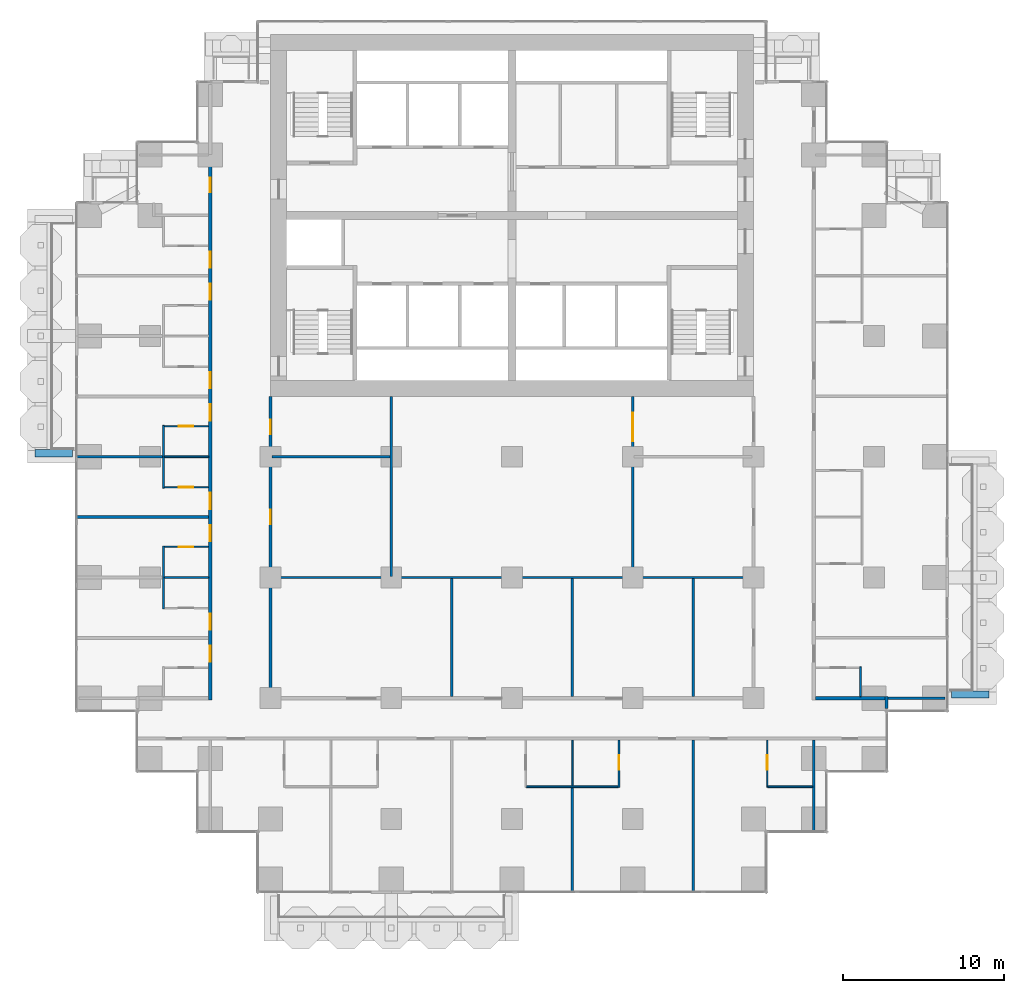
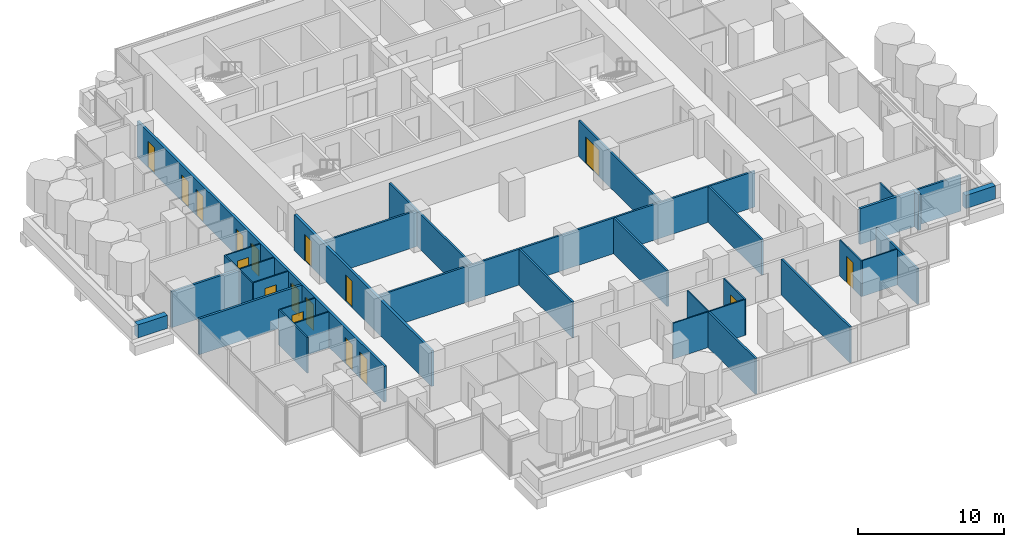
# One storey, part 11 of 18: 32 walls, 17 doors, 17 openings.
"""IFC4 building model written with IfcOpenShell, lengths in metres."""

from ifc_helpers import new_model, si_unit, direction, frame, frame_2d, origin, place, context, subcontext, project, spatial, rectangle, extrude, material, layer, layer_set, type_object, element, fill, save


model = new_model("IFC4")

# Units and contexts
model_context = context("Model", 3, precision=1e-05, world=origin(), true_north=direction((0.0, 1.0)))
body_context = subcontext(model_context, "Body", "Model", "MODEL_VIEW")
ifc_project = project(units=[si_unit("LENGTHUNIT", "METRE"), si_unit("AREAUNIT", "SQUARE_METRE"), si_unit("VOLUMEUNIT", "CUBIC_METRE"), si_unit("PLANEANGLEUNIT", "RADIAN"), si_unit("MASSUNIT", "GRAM", prefix="KILO")], contexts=[model_context])

# Site, building, storey
site_placement = place(None, origin())
site = spatial("IfcSite", under=ifc_project, at=site_placement, CompositionType="ELEMENT")
building_placement = place(site_placement, origin())
building = spatial("IfcBuilding", under=site, at=building_placement, Name="Pilkhan Gate Tower", CompositionType="ELEMENT")
storey_placement = place(building_placement, frame((0.0, 0.0, 75.800048828125)))
storey = spatial("IfcBuildingStorey", under=building, at=storey_placement, Name="L17", CompositionType="ELEMENT", Elevation=75.800048828125)

# Walls
ifc_material_1 = material(Name="Dense blockwork", Category="masonry")
ifc_layer_1 = layer(ifc_material_1, 0.175048828125)
ifc_layer_set_1 = layer_set([ifc_layer_1], Name="Acoustic party wall PW175")
wall_type_1 = type_object("IfcWallType", Name="Acoustic party wall PW175", PredefinedType="PARTITIONING", material=ifc_layer_set_1)
wall_1_placement = place(storey_placement, frame((47.985107421875, 63.75, 0.0), z_axis=(0.0, 0.0, 1.0), x_axis=(1.0, 0.0, 0.0)))
element("IfcWall", 1, at=wall_1_placement, inside=storey, type_object=wall_type_1, Name="Partition L17", PredefinedType="PARTITIONING", context=body_context, shape_type="SweptSolid", body=[
    extrude(rectangle(XDim=8.164794921875, YDim=0.175048828125, at=frame_2d((4.08251953125, 0.0))), origin(), (0.0, 0.0, 1.0), 3.0),
])
wall_2_placement = place(storey_placement, frame((47.985107421875, 67.5, 0.0), z_axis=(0.0, 0.0, 1.0), x_axis=(1.0, 0.0, 0.0)))
element("IfcWall", 2, at=wall_2_placement, inside=storey, type_object=wall_type_1, Name="Partition L17", PredefinedType="PARTITIONING", context=body_context, shape_type="SweptSolid", body=[
    extrude(rectangle(XDim=5.31494140625, YDim=0.175048828125, at=frame_2d((2.657470703125, 0.0))), origin(), (0.0, 0.0, 1.0), 3.0),
])
ifc_material_2 = material(Name="Board-marked Concrete C40/50", Category="concrete")
ifc_layer_2 = layer(ifc_material_2, 0.449951171875)
ifc_layer_set_2 = layer_set([ifc_layer_2], Name="Balcony planter lip BL450")
wall_type_2 = type_object("IfcWallType", Name="Balcony planter lip BL450", PredefinedType="USERDEFINED", material=ifc_layer_set_2)
for number, where, z_axis, x_axis, name in (
    (3, (102.300048828125, 52.72509765625, 0.0), (0.0, 0.0, 1.0), (1.0, 0.0, 0.0), "Balcony planter L17 E"),
    (4, (47.699951171875, 67.72509765625, 0.0), (0.0, 0.0, 1.0), (-1.0, 0.0, 0.0), "Balcony planter L17 W"),
):
    element("IfcWall", number, at=place(storey_placement, frame(where, z_axis=z_axis, x_axis=x_axis)), inside=storey, type_object=wall_type_2, Name=name, ObjectType="BALCONY PLANTER", PredefinedType="USERDEFINED", context=body_context, shape_type="SweptSolid", body=[
        extrude(rectangle(XDim=2.349853515625, YDim=0.449951171875, at=frame_2d((1.1748046875, 0.0))), origin(), (0.0, 0.0, 1.0), 1.099853515625),
    ])
ifc_layer_3 = layer(ifc_material_1, 0.199951171875)
ifc_layer_set_3 = layer_set([ifc_layer_3], Name="Corridor wall FW200")
wall_type_3 = type_object("IfcWallType", Name="Corridor wall FW200", PredefinedType="PARTITIONING", material=ifc_layer_set_3)
wall_3_placement = place(storey_placement, frame((93.85009765625, 52.5, 0.0), z_axis=(0.0, 0.0, 1.0), x_axis=(1.0, 0.0, 0.0)))
element("IfcWall", 5, at=wall_3_placement, inside=storey, type_object=wall_type_3, Name="Partition L17", PredefinedType="PARTITIONING", context=body_context, shape_type="SweptSolid", body=[
    extrude(rectangle(XDim=4.31494140625, YDim=0.199951171875, at=frame_2d((2.157470703125, 0.0))), origin(), (0.0, 0.0, 1.0), 3.0),
])

# Wall, openings, doors
wall_4_placement = place(storey_placement, frame((56.25, 52.39990234375, 0.0), z_axis=(0.0, 0.0, 1.0), x_axis=(0.0, 1.0, 0.0)))
wall_4 = element("IfcWall", 6, at=wall_4_placement, inside=storey, type_object=wall_type_3, Name="Partition L17", PredefinedType="PARTITIONING", context=body_context, shape_type="SweptSolid", body=[
    extrude(rectangle(XDim=33.925048828125, YDim=0.199951171875, at=frame_2d((16.96240234375, 0.0))), origin(), (0.0, 0.0, 1.0), 3.0),
])
opening_1_placement = place(wall_4_placement, frame((2.35009765625, 0.0, 0.0)))
opening_1 = element("IfcOpeningElement", 7, at=opening_1_placement, cuts=wall_4, Name="Opening L17-16", PredefinedType="OPENING", context=body_context, shape_type="SweptSolid", body=[
    extrude(rectangle(XDim=1.0, YDim=2.199951171875, at=frame_2d((0.5, 1.10009765625))), frame((0.0, 0.10986328125, 0.0), z_axis=(0.0, -1.0, 0.0), x_axis=(1.0, 0.0, 0.0)), (0.0, 0.0, 1.0), 0.219970703125),
])
opening_2_placement = place(wall_4_placement, frame((4.35009765625, 0.0, 0.0)))
opening_2 = element("IfcOpeningElement", 8, at=opening_2_placement, cuts=wall_4, Name="Opening L17-18", PredefinedType="OPENING", context=body_context, shape_type="SweptSolid", body=[
    extrude(rectangle(XDim=1.0, YDim=2.199951171875, at=frame_2d((0.5, 1.10009765625))), frame((0.0, 0.10986328125, 0.0), z_axis=(0.0, -1.0, 0.0), x_axis=(1.0, 0.0, 0.0)), (0.0, 0.0, 1.0), 0.219970703125),
])
opening_3_placement = place(wall_4_placement, frame((9.85009765625, 0.0, 0.0)))
opening_3 = element("IfcOpeningElement", 9, at=opening_3_placement, cuts=wall_4, Name="Opening L17-20", PredefinedType="OPENING", context=body_context, shape_type="SweptSolid", body=[
    extrude(rectangle(XDim=1.0, YDim=2.199951171875, at=frame_2d((0.5, 1.10009765625))), frame((0.0, 0.10986328125, 0.0), z_axis=(0.0, -1.0, 0.0), x_axis=(1.0, 0.0, 0.0)), (0.0, 0.0, 1.0), 0.219970703125),
])
opening_4_placement = place(wall_4_placement, frame((11.85009765625, 0.0, 0.0)))
opening_4 = element("IfcOpeningElement", 10, at=opening_4_placement, cuts=wall_4, Name="Opening L17-22", PredefinedType="OPENING", context=body_context, shape_type="SweptSolid", body=[
    extrude(rectangle(XDim=1.0, YDim=2.199951171875, at=frame_2d((0.5, 1.10009765625))), frame((0.0, 0.10986328125, 0.0), z_axis=(0.0, -1.0, 0.0), x_axis=(1.0, 0.0, 0.0)), (0.0, 0.0, 1.0), 0.219970703125),
])
opening_5_placement = place(wall_4_placement, frame((17.35009765625, 0.0, 0.0)))
opening_5 = element("IfcOpeningElement", 11, at=opening_5_placement, cuts=wall_4, Name="Opening L17-24", PredefinedType="OPENING", context=body_context, shape_type="SweptSolid", body=[
    extrude(rectangle(XDim=1.0, YDim=2.199951171875, at=frame_2d((0.5, 1.10009765625))), frame((0.0, 0.10986328125, 0.0), z_axis=(0.0, -1.0, 0.0), x_axis=(1.0, 0.0, 0.0)), (0.0, 0.0, 1.0), 0.219970703125),
])
opening_6_placement = place(wall_4_placement, frame((19.35009765625, 0.0, 0.0)))
opening_6 = element("IfcOpeningElement", 12, at=opening_6_placement, cuts=wall_4, Name="Opening L17-26", PredefinedType="OPENING", context=body_context, shape_type="SweptSolid", body=[
    extrude(rectangle(XDim=1.0, YDim=2.199951171875, at=frame_2d((0.5, 1.10009765625))), frame((0.0, 0.10986328125, 0.0), z_axis=(0.0, -1.0, 0.0), x_axis=(1.0, 0.0, 0.0)), (0.0, 0.0, 1.0), 0.219970703125),
])
opening_7_placement = place(wall_4_placement, frame((24.85009765625, 0.0, 0.0)))
opening_7 = element("IfcOpeningElement", 13, at=opening_7_placement, cuts=wall_4, Name="Opening L17-28", PredefinedType="OPENING", context=body_context, shape_type="SweptSolid", body=[
    extrude(rectangle(XDim=1.0, YDim=2.199951171875, at=frame_2d((0.5, 1.10009765625))), frame((0.0, 0.10986328125, 0.0), z_axis=(0.0, -1.0, 0.0), x_axis=(1.0, 0.0, 0.0)), (0.0, 0.0, 1.0), 0.219970703125),
])
opening_8_placement = place(wall_4_placement, frame((26.85009765625, 0.0, 0.0)))
opening_8 = element("IfcOpeningElement", 14, at=opening_8_placement, cuts=wall_4, Name="Opening L17-30", PredefinedType="OPENING", context=body_context, shape_type="SweptSolid", body=[
    extrude(rectangle(XDim=1.0, YDim=2.199951171875, at=frame_2d((0.5, 1.10009765625))), frame((0.0, 0.10986328125, 0.0), z_axis=(0.0, -1.0, 0.0), x_axis=(1.0, 0.0, 0.0)), (0.0, 0.0, 1.0), 0.219970703125),
])
opening_9_placement = place(wall_4_placement, frame((31.550048828125, 0.0, 0.0)))
opening_9 = element("IfcOpeningElement", 15, at=opening_9_placement, cuts=wall_4, Name="Opening L17-50", PredefinedType="OPENING", context=body_context, shape_type="SweptSolid", body=[
    extrude(rectangle(XDim=0.89990234375, YDim=2.199951171875, at=frame_2d((0.449951171875, 1.10009765625))), frame((0.0, 0.10986328125, 0.0), z_axis=(0.0, -1.0, 0.0), x_axis=(1.0, 0.0, 0.0)), (0.0, 0.0, 1.0), 0.219970703125),
])
ifc_material_3 = material(Name="Timber flush door, 30 minute fire resisting", Category="wood")
door_type_1 = type_object("IfcDoorType", Name="Guest room door D01 1000x2200", OperationType="SINGLE_SWING_LEFT", PredefinedType="DOOR", material=ifc_material_3)
door_1_placement = place(opening_1_placement, origin())
door_1 = element("IfcDoor", 16, at=door_1_placement, inside=storey, type_object=door_type_1, Name="Guest room door", OperationType="SINGLE_SWING_RIGHT", OverallHeight=2.199951171875, OverallWidth=1.0, PredefinedType="DOOR", context=body_context, shape_type="SweptSolid", body=[
    extrude(rectangle(XDim=1.0, YDim=2.199951171875, at=frame_2d((0.5, 1.10009765625))), frame((0.0, 0.02490234375, 0.0), z_axis=(0.0, -1.0, 0.0), x_axis=(1.0, 0.0, 0.0)), (0.0, 0.0, 1.0), 0.050048828125),
])
fill(opening_1, door_1)
door_2_placement = place(opening_2_placement, origin())
door_2 = element("IfcDoor", 17, at=door_2_placement, inside=storey, type_object=door_type_1, Name="Guest room door", OperationType="SINGLE_SWING_RIGHT", OverallHeight=2.199951171875, OverallWidth=1.0, PredefinedType="DOOR", context=body_context, shape_type="SweptSolid", body=[
    extrude(rectangle(XDim=1.0, YDim=2.199951171875, at=frame_2d((0.5, 1.10009765625))), frame((0.0, 0.02490234375, 0.0), z_axis=(0.0, -1.0, 0.0), x_axis=(1.0, 0.0, 0.0)), (0.0, 0.0, 1.0), 0.050048828125),
])
fill(opening_2, door_2)
door_3_placement = place(opening_3_placement, origin())
door_3 = element("IfcDoor", 18, at=door_3_placement, inside=storey, type_object=door_type_1, Name="Guest room door", OperationType="SINGLE_SWING_RIGHT", OverallHeight=2.199951171875, OverallWidth=1.0, PredefinedType="DOOR", context=body_context, shape_type="SweptSolid", body=[
    extrude(rectangle(XDim=1.0, YDim=2.199951171875, at=frame_2d((0.5, 1.10009765625))), frame((0.0, 0.02490234375, 0.0), z_axis=(0.0, -1.0, 0.0), x_axis=(1.0, 0.0, 0.0)), (0.0, 0.0, 1.0), 0.050048828125),
])
fill(opening_3, door_3)
door_4_placement = place(opening_4_placement, origin())
door_4 = element("IfcDoor", 19, at=door_4_placement, inside=storey, type_object=door_type_1, Name="Guest room door", OperationType="SINGLE_SWING_RIGHT", OverallHeight=2.199951171875, OverallWidth=1.0, PredefinedType="DOOR", context=body_context, shape_type="SweptSolid", body=[
    extrude(rectangle(XDim=1.0, YDim=2.199951171875, at=frame_2d((0.5, 1.10009765625))), frame((0.0, 0.02490234375, 0.0), z_axis=(0.0, -1.0, 0.0), x_axis=(1.0, 0.0, 0.0)), (0.0, 0.0, 1.0), 0.050048828125),
])
fill(opening_4, door_4)
door_5_placement = place(opening_5_placement, origin())
door_5 = element("IfcDoor", 20, at=door_5_placement, inside=storey, type_object=door_type_1, Name="Guest room door", OperationType="SINGLE_SWING_LEFT", OverallHeight=2.199951171875, OverallWidth=1.0, PredefinedType="DOOR", context=body_context, shape_type="SweptSolid", body=[
    extrude(rectangle(XDim=1.0, YDim=2.199951171875, at=frame_2d((0.5, 1.10009765625))), frame((0.0, 0.02490234375, 0.0), z_axis=(0.0, -1.0, 0.0), x_axis=(1.0, 0.0, 0.0)), (0.0, 0.0, 1.0), 0.050048828125),
])
fill(opening_5, door_5)
door_6_placement = place(opening_6_placement, origin())
door_6 = element("IfcDoor", 21, at=door_6_placement, inside=storey, type_object=door_type_1, Name="Guest room door", OperationType="SINGLE_SWING_LEFT", OverallHeight=2.199951171875, OverallWidth=1.0, PredefinedType="DOOR", context=body_context, shape_type="SweptSolid", body=[
    extrude(rectangle(XDim=1.0, YDim=2.199951171875, at=frame_2d((0.5, 1.10009765625))), frame((0.0, 0.02490234375, 0.0), z_axis=(0.0, -1.0, 0.0), x_axis=(1.0, 0.0, 0.0)), (0.0, 0.0, 1.0), 0.050048828125),
])
fill(opening_6, door_6)
door_7_placement = place(opening_7_placement, origin())
door_7 = element("IfcDoor", 22, at=door_7_placement, inside=storey, type_object=door_type_1, Name="Guest room door", OperationType="SINGLE_SWING_LEFT", OverallHeight=2.199951171875, OverallWidth=1.0, PredefinedType="DOOR", context=body_context, shape_type="SweptSolid", body=[
    extrude(rectangle(XDim=1.0, YDim=2.199951171875, at=frame_2d((0.5, 1.10009765625))), frame((0.0, 0.02490234375, 0.0), z_axis=(0.0, -1.0, 0.0), x_axis=(1.0, 0.0, 0.0)), (0.0, 0.0, 1.0), 0.050048828125),
])
fill(opening_7, door_7)
door_8_placement = place(opening_8_placement, origin())
door_8 = element("IfcDoor", 23, at=door_8_placement, inside=storey, type_object=door_type_1, Name="Guest room door", OperationType="SINGLE_SWING_LEFT", OverallHeight=2.199951171875, OverallWidth=1.0, PredefinedType="DOOR", context=body_context, shape_type="SweptSolid", body=[
    extrude(rectangle(XDim=1.0, YDim=2.199951171875, at=frame_2d((0.5, 1.10009765625))), frame((0.0, 0.02490234375, 0.0), z_axis=(0.0, -1.0, 0.0), x_axis=(1.0, 0.0, 0.0)), (0.0, 0.0, 1.0), 0.050048828125),
])
fill(opening_8, door_8)
ifc_material_4 = material(Name="Timber flush door, 60 minute fire resisting, self-closing", Category="wood")
door_type_2 = type_object("IfcDoorType", Name="Store door D05 900x2200", OperationType="SINGLE_SWING_LEFT", PredefinedType="DOOR", material=ifc_material_4)
door_9_placement = place(opening_9_placement, origin())
door_9 = element("IfcDoor", 24, at=door_9_placement, inside=storey, type_object=door_type_2, Name="Store door", OperationType="SINGLE_SWING_LEFT", OverallHeight=2.199951171875, OverallWidth=0.89990234375, PredefinedType="DOOR", context=body_context, shape_type="SweptSolid", body=[
    extrude(rectangle(XDim=0.89990234375, YDim=2.199951171875, at=frame_2d((0.449951171875, 1.10009765625))), frame((0.0, 0.02490234375, 0.0), z_axis=(0.0, -1.0, 0.0), x_axis=(1.0, 0.0, 0.0)), (0.0, 0.0, 1.0), 0.050048828125),
])
fill(opening_9, door_9)

wall_5_placement = place(storey_placement, frame((60.0, 52.39990234375, 0.0), z_axis=(0.0, 0.0, 1.0), x_axis=(0.0, 1.0, 0.0)))
wall_5 = element("IfcWall", 25, at=wall_5_placement, inside=storey, type_object=wall_type_3, Name="Partition L17", PredefinedType="PARTITIONING", context=body_context, shape_type="SweptSolid", body=[
    extrude(rectangle(XDim=18.840087890625, YDim=0.199951171875, at=frame_2d((9.419921875, 0.0))), origin(), (0.0, 0.0, 1.0), 3.0),
])
opening_10_placement = place(wall_5_placement, frame((10.89990234375, 0.0, 0.0)))
opening_10 = element("IfcOpeningElement", 26, at=opening_10_placement, cuts=wall_5, Name="Opening L17-56", PredefinedType="OPENING", context=body_context, shape_type="SweptSolid", body=[
    extrude(rectangle(XDim=0.89990234375, YDim=2.199951171875, at=frame_2d((0.449951171875, 1.10009765625))), frame((0.0, 0.10986328125, 0.0), z_axis=(0.0, -1.0, 0.0), x_axis=(1.0, 0.0, 0.0)), (0.0, 0.0, 1.0), 0.219970703125),
])
opening_11_placement = place(wall_5_placement, frame((16.5, 0.0, 0.0)))
opening_11 = element("IfcOpeningElement", 27, at=opening_11_placement, cuts=wall_5, Name="Opening L17-57", PredefinedType="OPENING", context=body_context, shape_type="SweptSolid", body=[
    extrude(rectangle(XDim=0.89990234375, YDim=2.199951171875, at=frame_2d((0.449951171875, 1.10009765625))), frame((0.0, 0.10986328125, 0.0), z_axis=(0.0, -1.0, 0.0), x_axis=(1.0, 0.0, 0.0)), (0.0, 0.0, 1.0), 0.219970703125),
])
door_10_placement = place(opening_10_placement, origin())
door_10 = element("IfcDoor", 28, at=door_10_placement, inside=storey, type_object=door_type_2, Name="Store door", OperationType="SINGLE_SWING_LEFT", OverallHeight=2.199951171875, OverallWidth=0.89990234375, PredefinedType="DOOR", context=body_context, shape_type="SweptSolid", body=[
    extrude(rectangle(XDim=0.89990234375, YDim=2.199951171875, at=frame_2d((0.449951171875, 1.10009765625))), frame((0.0, 0.02490234375, 0.0), z_axis=(0.0, -1.0, 0.0), x_axis=(1.0, 0.0, 0.0)), (0.0, 0.0, 1.0), 0.050048828125),
])
fill(opening_10, door_10)
door_11_placement = place(opening_11_placement, origin())
door_11 = element("IfcDoor", 29, at=door_11_placement, inside=storey, type_object=door_type_2, Name="Store door", OperationType="SINGLE_SWING_RIGHT", OverallHeight=2.199951171875, OverallWidth=0.89990234375, PredefinedType="DOOR", context=body_context, shape_type="SweptSolid", body=[
    extrude(rectangle(XDim=0.89990234375, YDim=2.199951171875, at=frame_2d((0.449951171875, 1.10009765625))), frame((0.0, 0.02490234375, 0.0), z_axis=(0.0, -1.0, 0.0), x_axis=(1.0, 0.0, 0.0)), (0.0, 0.0, 1.0), 0.050048828125),
])
fill(opening_11, door_11)

# Walls
wall_6_placement = place(storey_placement, frame((98.264892578125, 51.85498046875, 0.0), z_axis=(0.0, 0.0, 1.0), x_axis=(0.0, 1.0, 0.0)))
element("IfcWall", 30, at=wall_6_placement, inside=storey, type_object=wall_type_3, Name="Partition L17", PredefinedType="PARTITIONING", context=body_context, shape_type="SweptSolid", body=[
    extrude(rectangle(XDim=0.7451171875, YDim=0.199951171875, at=frame_2d((0.37255859375, 0.0))), origin(), (0.0, 0.0, 1.0), 3.0),
])
ifc_material_5 = material(Name="Blockwork partition, plastered both sides", Category="masonry")
ifc_layer_4 = layer(ifc_material_5, 0.14990234375)
ifc_layer_set_4 = layer_set([ifc_layer_4], Name="Partition PW150")
wall_type_4 = type_object("IfcWallType", Name="Partition PW150", PredefinedType="PARTITIONING", material=ifc_layer_set_4)
wall_7_placement = place(storey_placement, frame((98.364990234375, 52.5, 0.0), z_axis=(0.0, 0.0, 1.0), x_axis=(1.0, 0.0, 0.0)))
element("IfcWall", 31, at=wall_7_placement, inside=storey, type_object=wall_type_4, Name="Partition L17", PredefinedType="PARTITIONING", context=body_context, shape_type="SweptSolid", body=[
    extrude(rectangle(XDim=3.530029296875, YDim=0.14990234375, at=frame_2d((1.76513671875, 0.0))), origin(), (0.0, 0.0, 1.0), 3.0),
])
wall_8_placement = place(storey_placement, frame((60.10009765625, 60.0, 0.0), z_axis=(0.0, 0.0, 1.0), x_axis=(1.0, 0.0, 0.0)))
element("IfcWall", 32, at=wall_8_placement, inside=storey, type_object=wall_type_4, Name="Partition L17", PredefinedType="PARTITIONING", context=body_context, shape_type="SweptSolid", body=[
    extrude(rectangle(XDim=29.7998046875, YDim=0.14990234375, at=frame_2d((14.89990234375, 0.0))), origin(), (0.0, 0.0, 1.0), 3.0),
])
wall_9_placement = place(storey_placement, frame((60.10009765625, 67.5, 0.0), z_axis=(0.0, 0.0, 1.0), x_axis=(1.0, 0.0, 0.0)))
element("IfcWall", 33, at=wall_9_placement, inside=storey, type_object=wall_type_4, Name="Partition L17", PredefinedType="PARTITIONING", context=body_context, shape_type="SweptSolid", body=[
    extrude(rectangle(XDim=7.324951171875, YDim=0.14990234375, at=frame_2d((3.66259765625, 0.0))), origin(), (0.0, 0.0, 1.0), 3.0),
])
wall_10_placement = place(storey_placement, frame((67.5, 60.074951171875, 0.0), z_axis=(0.0, 0.0, 1.0), x_axis=(0.0, 1.0, 0.0)))
element("IfcWall", 34, at=wall_10_placement, inside=storey, type_object=wall_type_4, Name="Partition L17", PredefinedType="PARTITIONING", context=body_context, shape_type="SweptSolid", body=[
    extrude(rectangle(XDim=11.1650390625, YDim=0.14990234375, at=frame_2d((5.58251953125, 0.0))), origin(), (0.0, 0.0, 1.0), 3.0),
])
wall_11_placement = place(storey_placement, frame((71.25, 52.60009765625, 0.0), z_axis=(0.0, 0.0, 1.0), x_axis=(0.0, 1.0, 0.0)))
element("IfcWall", 35, at=wall_11_placement, inside=storey, type_object=wall_type_4, Name="Partition L17", PredefinedType="PARTITIONING", context=body_context, shape_type="SweptSolid", body=[
    extrude(rectangle(XDim=7.324951171875, YDim=0.14990234375, at=frame_2d((3.66259765625, 0.0))), origin(), (0.0, 0.0, 1.0), 3.0),
])
wall_12_placement = place(storey_placement, frame((78.75, 40.485107421875, 0.0), z_axis=(0.0, 0.0, 1.0), x_axis=(0.0, 1.0, 0.0)))
element("IfcWall", 36, at=wall_12_placement, inside=storey, type_object=wall_type_4, Name="Partition L17", PredefinedType="PARTITIONING", context=body_context, shape_type="SweptSolid", body=[
    extrude(rectangle(XDim=6.46484375, YDim=0.14990234375, at=frame_2d((3.232421875, 0.0))), origin(), (0.0, 0.0, 1.0), 3.0),
])
wall_13_placement = place(storey_placement, frame((78.75, 52.60009765625, 0.0), z_axis=(0.0, 0.0, 1.0), x_axis=(0.0, 1.0, 0.0)))
element("IfcWall", 37, at=wall_13_placement, inside=storey, type_object=wall_type_4, Name="Partition L17", PredefinedType="PARTITIONING", context=body_context, shape_type="SweptSolid", body=[
    extrude(rectangle(XDim=7.324951171875, YDim=0.14990234375, at=frame_2d((3.66259765625, 0.0))), origin(), (0.0, 0.0, 1.0), 3.0),
])

# Wall, opening, door
wall_14_placement = place(storey_placement, frame((82.5, 60.074951171875, 0.0), z_axis=(0.0, 0.0, 1.0), x_axis=(0.0, 1.0, 0.0)))
wall_14 = element("IfcWall", 38, at=wall_14_placement, inside=storey, type_object=wall_type_4, Name="Partition L17", PredefinedType="PARTITIONING", context=body_context, shape_type="SweptSolid", body=[
    extrude(rectangle(XDim=11.1650390625, YDim=0.14990234375, at=frame_2d((5.58251953125, 0.0))), origin(), (0.0, 0.0, 1.0), 3.0),
])
opening_12_placement = place(wall_14_placement, frame((8.375, 0.0, 0.0)))
opening_12 = element("IfcOpeningElement", 39, at=opening_12_placement, cuts=wall_14, Name="Opening L17-58", PredefinedType="OPENING", context=body_context, shape_type="SweptSolid", body=[
    extrude(rectangle(XDim=1.800048828125, YDim=2.199951171875, at=frame_2d((0.89990234375, 1.10009765625))), frame((0.0, 0.0849609375, 0.0), z_axis=(0.0, -1.0, 0.0), x_axis=(1.0, 0.0, 0.0)), (0.0, 0.0, 1.0), 0.169921875),
])
ifc_material_6 = material(Name="Timber glazed double door, 30 minute fire resisting", Category="wood")
door_type_3 = type_object("IfcDoorType", Name="Double door D04 1800x2200", OperationType="DOUBLE_DOOR_SINGLE_SWING", PredefinedType="DOOR", material=ifc_material_6)
door_12_placement = place(opening_12_placement, origin())
door_12 = element("IfcDoor", 40, at=door_12_placement, inside=storey, type_object=door_type_3, Name="Double door", OperationType="DOUBLE_DOOR_SINGLE_SWING", OverallHeight=2.199951171875, OverallWidth=1.800048828125, PredefinedType="DOOR", context=body_context, shape_type="SweptSolid", body=[
    extrude(rectangle(XDim=1.800048828125, YDim=2.199951171875, at=frame_2d((0.89990234375, 1.10009765625))), frame((0.0, 0.02490234375, 0.0), z_axis=(0.0, -1.0, 0.0), x_axis=(1.0, 0.0, 0.0)), (0.0, 0.0, 1.0), 0.050048828125),
])
fill(opening_12, door_12)

# Walls
wall_15_placement = place(storey_placement, frame((86.25, 40.485107421875, 0.0), z_axis=(0.0, 0.0, 1.0), x_axis=(0.0, 1.0, 0.0)))
element("IfcWall", 41, at=wall_15_placement, inside=storey, type_object=wall_type_4, Name="Partition L17", PredefinedType="PARTITIONING", context=body_context, shape_type="SweptSolid", body=[
    extrude(rectangle(XDim=9.414794921875, YDim=0.14990234375, at=frame_2d((4.70751953125, 0.0))), origin(), (0.0, 0.0, 1.0), 3.0),
])
wall_16_placement = place(storey_placement, frame((86.25, 52.60009765625, 0.0), z_axis=(0.0, 0.0, 1.0), x_axis=(0.0, 1.0, 0.0)))
element("IfcWall", 42, at=wall_16_placement, inside=storey, type_object=wall_type_4, Name="Partition L17", PredefinedType="PARTITIONING", context=body_context, shape_type="SweptSolid", body=[
    extrude(rectangle(XDim=7.324951171875, YDim=0.14990234375, at=frame_2d((3.66259765625, 0.0))), origin(), (0.0, 0.0, 1.0), 3.0),
])
wall_17_placement = place(storey_placement, frame((93.75, 44.235107421875, 0.0), z_axis=(0.0, 0.0, 1.0), x_axis=(0.0, 1.0, 0.0)))
element("IfcWall", 43, at=wall_17_placement, inside=storey, type_object=wall_type_4, Name="Partition L17", PredefinedType="PARTITIONING", context=body_context, shape_type="SweptSolid", body=[
    extrude(rectangle(XDim=5.664794921875, YDim=0.14990234375, at=frame_2d((2.83251953125, 0.0))), origin(), (0.0, 0.0, 1.0), 3.0),
])
ifc_material_7 = material(Name="Moisture resistant board, tiled")
ifc_layer_5 = layer(ifc_material_7, 0.10009765625)
ifc_layer_set_5 = layer_set([ifc_layer_5], Name="Wet wall PW100")
wall_type_5 = type_object("IfcWallType", Name="Wet wall PW100", PredefinedType="PARTITIONING", material=ifc_layer_set_5)
wall_18_placement = place(storey_placement, frame((75.89990234375, 47.0, 0.0), z_axis=(0.0, 0.0, 1.0), x_axis=(1.0, 0.0, 0.0)))
element("IfcWall", 44, at=wall_18_placement, inside=storey, type_object=wall_type_5, Name="Partition L17", PredefinedType="PARTITIONING", context=body_context, shape_type="SweptSolid", body=[
    extrude(rectangle(XDim=5.7001953125, YDim=0.10009765625, at=frame_2d((2.85009765625, 0.0))), origin(), (0.0, 0.0, 1.0), 3.0),
])
wall_19_placement = place(storey_placement, frame((90.89990234375, 47.0, 0.0), z_axis=(0.0, 0.0, 1.0), x_axis=(1.0, 0.0, 0.0)))
element("IfcWall", 45, at=wall_19_placement, inside=storey, type_object=wall_type_5, Name="Partition L17", PredefinedType="PARTITIONING", context=body_context, shape_type="SweptSolid", body=[
    extrude(rectangle(XDim=2.775146484375, YDim=0.10009765625, at=frame_2d((1.3876953125, 0.0))), origin(), (0.0, 0.0, 1.0), 3.0),
])
wall_20_placement = place(storey_placement, frame((53.39990234375, 60.0, 0.0), z_axis=(0.0, 0.0, 1.0), x_axis=(1.0, 0.0, 0.0)))
element("IfcWall", 46, at=wall_20_placement, inside=storey, type_object=wall_type_5, Name="Partition L17", PredefinedType="PARTITIONING", context=body_context, shape_type="SweptSolid", body=[
    extrude(rectangle(XDim=2.75, YDim=0.10009765625, at=frame_2d((1.375, 0.0))), origin(), (0.0, 0.0, 1.0), 3.0),
])

# Wall, opening, door
wall_21_placement = place(storey_placement, frame((53.39990234375, 61.89990234375, 0.0), z_axis=(0.0, 0.0, 1.0), x_axis=(1.0, 0.0, 0.0)))
wall_21 = element("IfcWall", 47, at=wall_21_placement, inside=storey, type_object=wall_type_5, Name="Partition L17", PredefinedType="PARTITIONING", context=body_context, shape_type="SweptSolid", body=[
    extrude(rectangle(XDim=2.75, YDim=0.10009765625, at=frame_2d((1.375, 0.0))), origin(), (0.0, 0.0, 1.0), 3.0),
])
opening_13_placement = place(wall_21_placement, frame((0.89990234375, 0.0, 0.0)))
opening_13 = element("IfcOpeningElement", 48, at=opening_13_placement, cuts=wall_21, Name="Opening L17-21", PredefinedType="OPENING", context=body_context, shape_type="SweptSolid", body=[
    extrude(rectangle(XDim=0.89990234375, YDim=2.199951171875, at=frame_2d((0.449951171875, 1.10009765625))), frame((0.0, 0.06005859375, 0.0), z_axis=(0.0, -1.0, 0.0), x_axis=(1.0, 0.0, 0.0)), (0.0, 0.0, 1.0), 0.1201171875),
])
ifc_material_8 = material(Name="Timber flush door", Category="wood")
door_type_4 = type_object("IfcDoorType", Name="Bathroom door D02 900x2200", OperationType="SINGLE_SWING_RIGHT", PredefinedType="DOOR", material=ifc_material_8)
door_13_placement = place(opening_13_placement, origin())
door_13 = element("IfcDoor", 49, at=door_13_placement, inside=storey, type_object=door_type_4, Name="Bathroom door", OperationType="SINGLE_SWING_RIGHT", OverallHeight=2.199951171875, OverallWidth=0.89990234375, PredefinedType="DOOR", context=body_context, shape_type="SweptSolid", body=[
    extrude(rectangle(XDim=0.89990234375, YDim=2.199951171875, at=frame_2d((0.449951171875, 1.10009765625))), frame((0.0, 0.02490234375, 0.0), z_axis=(0.0, -1.0, 0.0), x_axis=(1.0, 0.0, 0.0)), (0.0, 0.0, 1.0), 0.050048828125),
])
fill(opening_13, door_13)

wall_22_placement = place(storey_placement, frame((53.39990234375, 65.60009765625, 0.0), z_axis=(0.0, 0.0, 1.0), x_axis=(1.0, 0.0, 0.0)))
wall_22 = element("IfcWall", 50, at=wall_22_placement, inside=storey, type_object=wall_type_5, Name="Partition L17", PredefinedType="PARTITIONING", context=body_context, shape_type="SweptSolid", body=[
    extrude(rectangle(XDim=2.75, YDim=0.10009765625, at=frame_2d((1.375, 0.0))), origin(), (0.0, 0.0, 1.0), 3.0),
])
opening_14_placement = place(wall_22_placement, frame((0.89990234375, 0.0, 0.0)))
opening_14 = element("IfcOpeningElement", 51, at=opening_14_placement, cuts=wall_22, Name="Opening L17-23", PredefinedType="OPENING", context=body_context, shape_type="SweptSolid", body=[
    extrude(rectangle(XDim=0.89990234375, YDim=2.199951171875, at=frame_2d((0.449951171875, 1.10009765625))), frame((0.0, 0.06005859375, 0.0), z_axis=(0.0, -1.0, 0.0), x_axis=(1.0, 0.0, 0.0)), (0.0, 0.0, 1.0), 0.1201171875),
])
door_14_placement = place(opening_14_placement, origin())
door_14 = element("IfcDoor", 52, at=door_14_placement, inside=storey, type_object=door_type_4, Name="Bathroom door", OperationType="SINGLE_SWING_RIGHT", OverallHeight=2.199951171875, OverallWidth=0.89990234375, PredefinedType="DOOR", context=body_context, shape_type="SweptSolid", body=[
    extrude(rectangle(XDim=0.89990234375, YDim=2.199951171875, at=frame_2d((0.449951171875, 1.10009765625))), frame((0.0, 0.02490234375, 0.0), z_axis=(0.0, -1.0, 0.0), x_axis=(1.0, 0.0, 0.0)), (0.0, 0.0, 1.0), 0.050048828125),
])
fill(opening_14, door_14)

# Wall
wall_23_placement = place(storey_placement, frame((53.39990234375, 67.5, 0.0), z_axis=(0.0, 0.0, 1.0), x_axis=(1.0, 0.0, 0.0)))
element("IfcWall", 53, at=wall_23_placement, inside=storey, type_object=wall_type_5, Name="Partition L17", PredefinedType="PARTITIONING", context=body_context, shape_type="SweptSolid", body=[
    extrude(rectangle(XDim=2.75, YDim=0.10009765625, at=frame_2d((1.375, 0.0))), origin(), (0.0, 0.0, 1.0), 3.0),
])

# Wall, opening, door
wall_24_placement = place(storey_placement, frame((53.39990234375, 69.39990234375, 0.0), z_axis=(0.0, 0.0, 1.0), x_axis=(1.0, 0.0, 0.0)))
wall_24 = element("IfcWall", 54, at=wall_24_placement, inside=storey, type_object=wall_type_5, Name="Partition L17", PredefinedType="PARTITIONING", context=body_context, shape_type="SweptSolid", body=[
    extrude(rectangle(XDim=2.75, YDim=0.10009765625, at=frame_2d((1.375, 0.0))), origin(), (0.0, 0.0, 1.0), 3.0),
])
opening_15_placement = place(wall_24_placement, frame((0.89990234375, 0.0, 0.0)))
opening_15 = element("IfcOpeningElement", 55, at=opening_15_placement, cuts=wall_24, Name="Opening L17-25", PredefinedType="OPENING", context=body_context, shape_type="SweptSolid", body=[
    extrude(rectangle(XDim=0.89990234375, YDim=2.199951171875, at=frame_2d((0.449951171875, 1.10009765625))), frame((0.0, 0.06005859375, 0.0), z_axis=(0.0, -1.0, 0.0), x_axis=(1.0, 0.0, 0.0)), (0.0, 0.0, 1.0), 0.1201171875),
])
door_15_placement = place(opening_15_placement, origin())
door_15 = element("IfcDoor", 56, at=door_15_placement, inside=storey, type_object=door_type_4, Name="Bathroom door", OperationType="SINGLE_SWING_RIGHT", OverallHeight=2.199951171875, OverallWidth=0.89990234375, PredefinedType="DOOR", context=body_context, shape_type="SweptSolid", body=[
    extrude(rectangle(XDim=0.89990234375, YDim=2.199951171875, at=frame_2d((0.449951171875, 1.10009765625))), frame((0.0, 0.02490234375, 0.0), z_axis=(0.0, -1.0, 0.0), x_axis=(1.0, 0.0, 0.0)), (0.0, 0.0, 1.0), 0.050048828125),
])
fill(opening_15, door_15)

# Walls
for number, where, z_axis, x_axis, name in (
    (57, (53.35009765625, 58.050048828125, 0.0), (0.0, 0.0, 1.0), (0.0, 1.0, 0.0), "Partition L17"),
    (58, (53.35009765625, 65.550048828125, 0.0), (0.0, 0.0, 1.0), (0.0, 1.0, 0.0), "Partition L17"),
):
    element("IfcWall", number, at=place(storey_placement, frame(where, z_axis=z_axis, x_axis=x_axis)), inside=storey, type_object=wall_type_5, Name=name, PredefinedType="PARTITIONING", context=body_context, shape_type="SweptSolid", body=[
        extrude(rectangle(XDim=3.89990234375, YDim=0.10009765625, at=frame_2d((1.949951171875, 0.0))), origin(), (0.0, 0.0, 1.0), 3.0),
    ])
wall_25_placement = place(storey_placement, frame((78.75, 47.050048828125, 0.0), z_axis=(0.0, 0.0, 1.0), x_axis=(0.0, 1.0, 0.0)))
element("IfcWall", 59, at=wall_25_placement, inside=storey, type_object=wall_type_5, Name="Partition L17", PredefinedType="PARTITIONING", context=body_context, shape_type="SweptSolid", body=[
    extrude(rectangle(XDim=2.849853515625, YDim=0.10009765625, at=frame_2d((1.4248046875, 0.0))), origin(), (0.0, 0.0, 1.0), 3.0),
])

# Wall, opening, door
wall_26_placement = place(storey_placement, frame((81.64990234375, 46.949951171875, 0.0), z_axis=(0.0, 0.0, 1.0), x_axis=(0.0, 1.0, 0.0)))
wall_26 = element("IfcWall", 60, at=wall_26_placement, inside=storey, type_object=wall_type_5, Name="Partition L17", PredefinedType="PARTITIONING", context=body_context, shape_type="SweptSolid", body=[
    extrude(rectangle(XDim=2.949951171875, YDim=0.10009765625, at=frame_2d((1.47509765625, 0.0))), origin(), (0.0, 0.0, 1.0), 3.0),
])
opening_16_placement = place(wall_26_placement, frame((1.10009765625, 0.0, 0.0)))
opening_16 = element("IfcOpeningElement", 61, at=opening_16_placement, cuts=wall_26, Name="Opening L17-13", PredefinedType="OPENING", context=body_context, shape_type="SweptSolid", body=[
    extrude(rectangle(XDim=0.89990234375, YDim=2.199951171875, at=frame_2d((0.449951171875, 1.10009765625))), frame((0.0, 0.06005859375, 0.0), z_axis=(0.0, -1.0, 0.0), x_axis=(1.0, 0.0, 0.0)), (0.0, 0.0, 1.0), 0.1201171875),
])
door_16_placement = place(opening_16_placement, origin())
door_16 = element("IfcDoor", 62, at=door_16_placement, inside=storey, type_object=door_type_4, Name="Bathroom door", OperationType="SINGLE_SWING_RIGHT", OverallHeight=2.199951171875, OverallWidth=0.89990234375, PredefinedType="DOOR", context=body_context, shape_type="SweptSolid", body=[
    extrude(rectangle(XDim=0.89990234375, YDim=2.199951171875, at=frame_2d((0.449951171875, 1.10009765625))), frame((0.0, 0.02490234375, 0.0), z_axis=(0.0, -1.0, 0.0), x_axis=(1.0, 0.0, 0.0)), (0.0, 0.0, 1.0), 0.050048828125),
])
fill(opening_16, door_16)

wall_27_placement = place(storey_placement, frame((90.85009765625, 46.949951171875, 0.0), z_axis=(0.0, 0.0, 1.0), x_axis=(0.0, 1.0, 0.0)))
wall_27 = element("IfcWall", 63, at=wall_27_placement, inside=storey, type_object=wall_type_5, Name="Partition L17", PredefinedType="PARTITIONING", context=body_context, shape_type="SweptSolid", body=[
    extrude(rectangle(XDim=2.949951171875, YDim=0.10009765625, at=frame_2d((1.47509765625, 0.0))), origin(), (0.0, 0.0, 1.0), 3.0),
])
opening_17_placement = place(wall_27_placement, frame((1.10009765625, 0.0, 0.0)))
opening_17 = element("IfcOpeningElement", 64, at=opening_17_placement, cuts=wall_27, Name="Opening L17-15", PredefinedType="OPENING", context=body_context, shape_type="SweptSolid", body=[
    extrude(rectangle(XDim=0.89990234375, YDim=2.199951171875, at=frame_2d((0.449951171875, 1.10009765625))), frame((0.0, 0.06005859375, 0.0), z_axis=(0.0, -1.0, 0.0), x_axis=(1.0, 0.0, 0.0)), (0.0, 0.0, 1.0), 0.1201171875),
])
door_17_placement = place(opening_17_placement, origin())
door_17 = element("IfcDoor", 65, at=door_17_placement, inside=storey, type_object=door_type_4, Name="Bathroom door", OperationType="SINGLE_SWING_RIGHT", OverallHeight=2.199951171875, OverallWidth=0.89990234375, PredefinedType="DOOR", context=body_context, shape_type="SweptSolid", body=[
    extrude(rectangle(XDim=0.89990234375, YDim=2.199951171875, at=frame_2d((0.449951171875, 1.10009765625))), frame((0.0, 0.02490234375, 0.0), z_axis=(0.0, -1.0, 0.0), x_axis=(1.0, 0.0, 0.0)), (0.0, 0.0, 1.0), 0.050048828125),
])
fill(opening_17, door_17)

# Wall
wall_28_placement = place(storey_placement, frame((96.64990234375, 52.60009765625, 0.0), z_axis=(0.0, 0.0, 1.0), x_axis=(0.0, 1.0, 0.0)))
element("IfcWall", 66, at=wall_28_placement, inside=storey, type_object=wall_type_5, Name="Partition L17", PredefinedType="PARTITIONING", context=body_context, shape_type="SweptSolid", body=[
    extrude(rectangle(XDim=1.849853515625, YDim=0.10009765625, at=frame_2d((0.9248046875, 0.0))), origin(), (0.0, 0.0, 1.0), 3.0),
])

save(model, "model.ifc")
